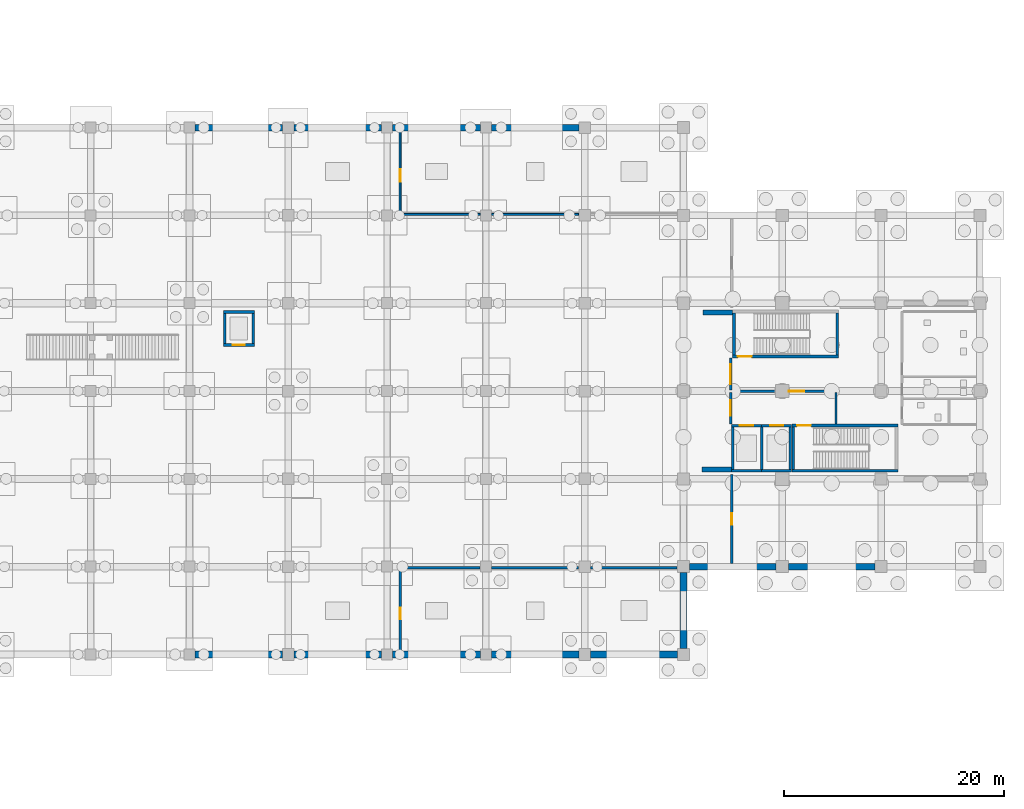
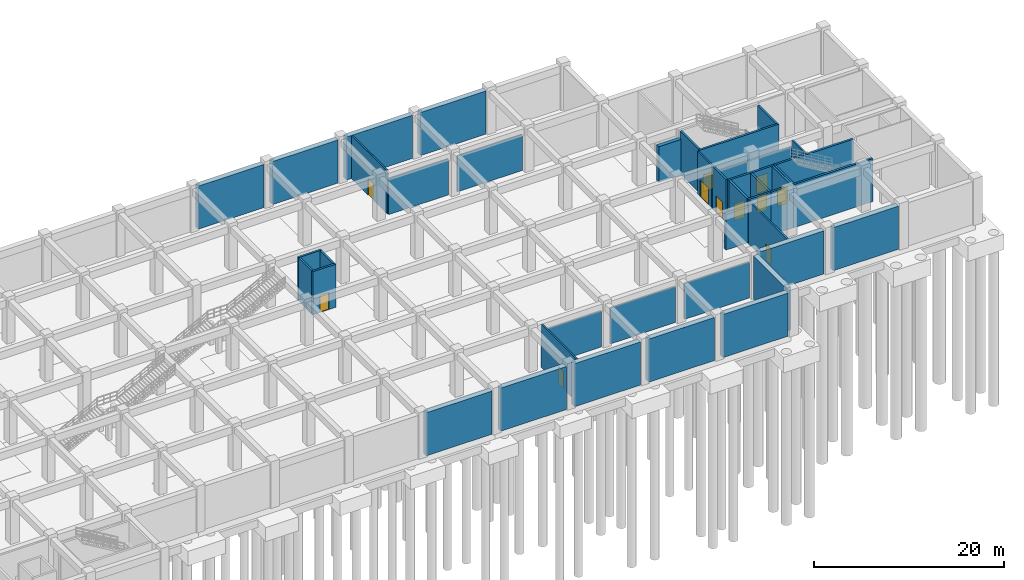
# One storey, part 10 of 18: 43 walls, 11 doors, 11 openings.
"""IFC4 building model written with IfcOpenShell, lengths in metres."""

from ifc_helpers import new_model, si_unit, derived_unit, direction, frame, frame_2d, origin, place, context, subcontext, project, spatial, rectangle, extrude, material, layer, layer_set, type_object, element, fill, save


model = new_model("IFC4")

# Units and contexts
model_context = context("Model", 3, precision=1e-05, world=origin(), true_north=direction((0.0, 1.0)))
body_context = subcontext(model_context, "Body", "Model", "MODEL_VIEW")
ifc_project = project(units=[si_unit("LENGTHUNIT", "METRE"), si_unit("AREAUNIT", "SQUARE_METRE"), si_unit("VOLUMEUNIT", "CUBIC_METRE"), si_unit("PLANEANGLEUNIT", "RADIAN"), si_unit("MASSUNIT", "GRAM", prefix="KILO"), derived_unit("THERMALTRANSMITTANCEUNIT", [(si_unit("MASSUNIT", "GRAM", prefix="KILO"), 1), (si_unit("TIMEUNIT", "SECOND"), -3), (si_unit("THERMODYNAMICTEMPERATUREUNIT", "KELVIN"), -1)])], contexts=[model_context])

# Site, building, storey
site_placement = place(None, origin())
site = spatial("IfcSite", under=ifc_project, at=site_placement, CompositionType="ELEMENT")
building_placement = place(site_placement, origin())
building = spatial("IfcBuilding", under=site, at=building_placement, Name="Zhenchuan Archway Interchange", CompositionType="ELEMENT")
storey_placement = place(building_placement, frame((0.0, 0.0, -12.0)))
storey = spatial("IfcBuildingStorey", under=building, at=storey_placement, Name="B2", CompositionType="ELEMENT", Elevation=-12.0)

# Walls
ifc_material_1 = material(Name="Concrete C40", Category="concrete")
ifc_layer_1 = layer(ifc_material_1, 0.60009765625)
ifc_layer_set_1 = layer_set([ifc_layer_1], Name="Concrete C40")
wall_type_1 = type_object("IfcWallType", Name="EW_DIAPH_600", PredefinedType="STANDARD", material=ifc_layer_set_1)
for number, where, z_axis, x_axis, name in (
    (1, (99.498046875, 80.0, 0.0), (0.0, 0.0, 1.0), (1.0, 0.0, 0.0), "Basement diaphragm wall B2-016"),
    (2, (108.52294921875, 80.0, 0.0), (0.0, 0.0, 1.0), (1.0, 0.0, 0.0), "Basement diaphragm wall B2-017"),
):
    element("IfcWall", number, at=place(storey_placement, frame(where, z_axis=z_axis, x_axis=x_axis)), inside=storey, type_object=wall_type_1, Name=name, PredefinedType="STANDARD", context=body_context, shape_type="SweptSolid", body=[
        extrude(rectangle(XDim=7.97900390625, YDim=0.60009765625, at=frame_2d((3.989501953125, 0.0))), origin(), (0.0, 0.0, 1.0), 5.5400390625),
    ])
wall_1_placement = place(storey_placement, frame((117.498046875, 80.0, 0.0), z_axis=(0.0, 0.0, 1.0), x_axis=(1.0, 0.0, 0.0)))
element("IfcWall", 3, at=wall_1_placement, inside=storey, type_object=wall_type_1, Name="Basement diaphragm wall B2-018", PredefinedType="STANDARD", context=body_context, shape_type="SweptSolid", body=[
    extrude(rectangle(XDim=8.00390625, YDim=0.60009765625, at=frame_2d((4.001953125, 0.0))), origin(), (0.0, 0.0, 1.0), 5.5400390625),
])
wall_2_placement = place(storey_placement, frame((126.498046875, 80.0, 0.0), z_axis=(0.0, 0.0, 1.0), x_axis=(1.0, 0.0, 0.0)))
element("IfcWall", 4, at=wall_2_placement, inside=storey, type_object=wall_type_1, Name="Basement diaphragm wall B2-019", PredefinedType="STANDARD", context=body_context, shape_type="SweptSolid", body=[
    extrude(rectangle(XDim=7.97900390625, YDim=0.60009765625, at=frame_2d((3.989501953125, 0.0))), origin(), (0.0, 0.0, 1.0), 5.5400390625),
])
for number, where, z_axis, x_axis, name in (
    (5, (161.451904296875, 40.0, 0.0), (0.0, 0.0, 1.0), (-1.0, 0.0, 0.0), "Basement diaphragm wall B2-030"),
    (6, (152.451904296875, 40.0, 0.0), (0.0, 0.0, 1.0), (-1.0, 0.0, 0.0), "Basement diaphragm wall B2-031"),
):
    element("IfcWall", number, at=place(storey_placement, frame(where, z_axis=z_axis, x_axis=x_axis)), inside=storey, type_object=wall_type_1, Name=name, PredefinedType="STANDARD", context=body_context, shape_type="SweptSolid", body=[
        extrude(rectangle(XDim=7.90380859375, YDim=0.60009765625, at=frame_2d((3.951904296875, 0.0))), origin(), (0.0, 0.0, 1.0), 5.5400390625),
    ])
wall_3_placement = place(storey_placement, frame((144.0, 39.451904296875, 0.0), z_axis=(0.0, 0.0, 1.0), x_axis=(0.0, -1.0, 0.0)))
element("IfcWall", 7, at=wall_3_placement, inside=storey, type_object=wall_type_1, Name="Basement diaphragm wall B2-032", PredefinedType="STANDARD", context=body_context, shape_type="SweptSolid", body=[
    extrude(rectangle(XDim=6.90380859375, YDim=0.60009765625, at=frame_2d((3.451904296875, 0.0))), origin(), (0.0, 0.0, 1.0), 5.5400390625),
])
wall_4_placement = place(storey_placement, frame((143.451904296875, 32.0, 0.0), z_axis=(0.0, 0.0, 1.0), x_axis=(-1.0, 0.0, 0.0)))
element("IfcWall", 8, at=wall_4_placement, inside=storey, type_object=wall_type_1, Name="Basement diaphragm wall B2-033", PredefinedType="STANDARD", context=body_context, shape_type="SweptSolid", body=[
    extrude(rectangle(XDim=7.928955078125, YDim=0.60009765625, at=frame_2d((3.96435546875, 0.0))), origin(), (0.0, 0.0, 1.0), 5.5400390625),
])
wall_5_placement = place(storey_placement, frame((134.47705078125, 32.0, 0.0), z_axis=(0.0, 0.0, 1.0), x_axis=(-1.0, 0.0, 0.0)))
element("IfcWall", 9, at=wall_5_placement, inside=storey, type_object=wall_type_1, Name="Basement diaphragm wall B2-034", PredefinedType="STANDARD", context=body_context, shape_type="SweptSolid", body=[
    extrude(rectangle(XDim=7.97900390625, YDim=0.60009765625, at=frame_2d((3.989501953125, 0.0))), origin(), (0.0, 0.0, 1.0), 5.5400390625),
])
wall_6_placement = place(storey_placement, frame((125.501953125, 32.0, 0.0), z_axis=(0.0, 0.0, 1.0), x_axis=(-1.0, 0.0, 0.0)))
element("IfcWall", 10, at=wall_6_placement, inside=storey, type_object=wall_type_1, Name="Basement diaphragm wall B2-035", PredefinedType="STANDARD", context=body_context, shape_type="SweptSolid", body=[
    extrude(rectangle(XDim=8.00390625, YDim=0.60009765625, at=frame_2d((4.001953125, 0.0))), origin(), (0.0, 0.0, 1.0), 5.5400390625),
])
for number, where, z_axis, x_axis, name in (
    (11, (116.501953125, 32.0, 0.0), (0.0, 0.0, 1.0), (-1.0, 0.0, 0.0), "Basement diaphragm wall B2-036"),
    (12, (107.47705078125, 32.0, 0.0), (0.0, 0.0, 1.0), (-1.0, 0.0, 0.0), "Basement diaphragm wall B2-037"),
):
    element("IfcWall", number, at=place(storey_placement, frame(where, z_axis=z_axis, x_axis=x_axis)), inside=storey, type_object=wall_type_1, Name=name, PredefinedType="STANDARD", context=body_context, shape_type="SweptSolid", body=[
        extrude(rectangle(XDim=7.97900390625, YDim=0.60009765625, at=frame_2d((3.989501953125, 0.0))), origin(), (0.0, 0.0, 1.0), 5.5400390625),
    ])
ifc_material_2 = material(Name="Concrete C50", Category="concrete")
ifc_layer_2 = layer(ifc_material_2, 0.449951171875)
ifc_layer_set_2 = layer_set([ifc_layer_2], Name="Concrete C50")
wall_type_2 = type_object("IfcWallType", Name="WL_CORE_450", PredefinedType="SHEAR", material=ifc_layer_set_2)
wall_7_placement = place(storey_placement, frame((145.679931640625, 48.85498046875, 0.0), z_axis=(0.0, 0.0, 1.0), x_axis=(1.0, 0.0, 0.0)))
element("IfcWall", 13, at=wall_7_placement, inside=storey, type_object=wall_type_2, Name="Operations lateral shear wall W-S (B2)", PredefinedType="SHEAR", context=body_context, shape_type="SweptSolid", body=[
    extrude(rectangle(XDim=2.699951171875, YDim=0.449951171875, at=frame_2d((1.35009765625, 0.0))), origin(), (0.0, 0.0, 1.0), 4.580078125),
])
wall_8_placement = place(storey_placement, frame((145.77490234375, 63.14990234375, 0.0), z_axis=(0.0, 0.0, 1.0), x_axis=(1.0, 0.0, 0.0)))
element("IfcWall", 14, at=wall_8_placement, inside=storey, type_object=wall_type_2, Name="Operations lateral shear wall W-N (B2)", PredefinedType="SHEAR", context=body_context, shape_type="SweptSolid", body=[
    extrude(rectangle(XDim=2.7001953125, YDim=0.449951171875, at=frame_2d((1.35009765625, 0.0))), origin(), (0.0, 0.0, 1.0), 4.580078125),
])

# Wall, opening, door
ifc_material_3 = material(Name="Autoclaved Aerated Concrete Block", Category="concrete")
ifc_layer_3 = layer(ifc_material_3, 0.199951171875)
ifc_layer_set_3 = layer_set([ifc_layer_3], Name="Autoclaved Aerated Concrete Block")
wall_type_3 = type_object("IfcWallType", Name="WL_FIRE_200", PredefinedType="STANDARD", material=ifc_layer_set_3)
wall_9_placement = place(storey_placement, frame((148.39990234375, 55.97998046875, 0.0), z_axis=(0.0, 0.0, 1.0), x_axis=(1.0, 0.0, 0.0)))
wall_9 = element("IfcWall", 15, at=wall_9_placement, inside=storey, type_object=wall_type_3, Name="Firefighting lift lobby smoke divider (B2)", PredefinedType="STANDARD", context=body_context, shape_type="SweptSolid", body=[
    extrude(rectangle(XDim=9.5, YDim=0.199951171875, at=frame_2d((4.75, 0.0))), origin(), (0.0, 0.0, 1.0), 4.610107421875),
])
opening_1_placement = place(wall_9_placement, frame((5.199951171875, 0.0, 0.0)))
opening_1 = element("IfcOpeningElement", 16, at=opening_1_placement, cuts=wall_9, Name="Opening FD-04", PredefinedType="OPENING", context=body_context, shape_type="SweptSolid", body=[
    extrude(rectangle(XDim=1.39990234375, YDim=2.199951171875, at=frame_2d((0.699951171875, 1.10009765625))), frame((0.0, 0.11181640625, 0.0), z_axis=(0.0, -1.0, 0.0), x_axis=(1.0, 0.0, 0.0)), (0.0, 0.0, 1.0), 0.223876953125),
])
ifc_material_4 = material(Name="Painted Galvanised Steel", Category="steel")
door_type_1 = type_object("IfcDoorType", Name="DR_LOB_FD60", OperationType="DOUBLE_DOOR_SINGLE_SWING", PredefinedType="DOOR", material=ifc_material_4)
door_1_placement = place(opening_1_placement, origin())
door_1 = element("IfcDoor", 17, at=door_1_placement, inside=storey, type_object=door_type_1, Name="Firefighting to passenger lobby smoke door (B2)", OperationType="DOUBLE_DOOR_SINGLE_SWING", OverallHeight=2.199951171875, OverallWidth=1.39990234375, PredefinedType="DOOR", context=body_context, shape_type="SweptSolid", body=[
    extrude(rectangle(XDim=1.39990234375, YDim=2.199951171875, at=frame_2d((0.699951171875, 1.10009765625))), frame((0.0, 0.02490234375, 0.0), z_axis=(0.0, -1.0, 0.0), x_axis=(1.0, 0.0, 0.0)), (0.0, 0.0, 1.0), 0.050048828125),
])
fill(opening_1, door_1)

# Wall
wall_10_placement = place(storey_placement, frame((157.89990234375, 52.989990234375, 0.0), z_axis=(0.0, 0.0, 1.0), x_axis=(0.0, 1.0, 0.0)))
element("IfcWall", 18, at=wall_10_placement, inside=storey, type_object=wall_type_3, Name="Firefighting lift lobby east fire wall (B2)", PredefinedType="STANDARD", context=body_context, shape_type="SweptSolid", body=[
    extrude(rectangle(XDim=2.880126953125, YDim=0.199951171875, at=frame_2d((1.43994140625, 0.0))), origin(), (0.0, 0.0, 1.0), 5.530029296875),
])

# Wall, opening, door
wall_11_placement = place(storey_placement, frame((148.300048828125, 52.989990234375, 0.0), z_axis=(0.0, 0.0, 1.0), x_axis=(0.0, 1.0, 0.0)))
wall_11 = element("IfcWall", 19, at=wall_11_placement, inside=storey, type_object=wall_type_3, Name="Firefighting lift lobby west fire wall (B2)", PredefinedType="STANDARD", context=body_context, shape_type="SweptSolid", body=[
    extrude(rectangle(XDim=2.880126953125, YDim=0.199951171875, at=frame_2d((1.43994140625, 0.0))), origin(), (0.0, 0.0, 1.0), 5.530029296875),
])
opening_2_placement = place(wall_11_placement, frame((0.75, 0.0, 0.0)))
opening_2 = element("IfcOpeningElement", 20, at=opening_2_placement, cuts=wall_11, Name="Opening FD-04", PredefinedType="OPENING", context=body_context, shape_type="SweptSolid", body=[
    extrude(rectangle(XDim=1.39990234375, YDim=2.199951171875, at=frame_2d((0.699951171875, 1.10009765625))), frame((0.0, 0.11181640625, 0.0), z_axis=(0.0, -1.0, 0.0), x_axis=(1.0, 0.0, 0.0)), (0.0, 0.0, 1.0), 0.223876953125),
])
door_2_placement = place(opening_2_placement, origin())
door_2 = element("IfcDoor", 21, at=door_2_placement, inside=storey, type_object=door_type_1, Name="Firefighting lift lobby corridor fire door (B2)", OperationType="DOUBLE_DOOR_SINGLE_SWING", OverallHeight=2.199951171875, OverallWidth=1.39990234375, PredefinedType="DOOR", context=body_context, shape_type="SweptSolid", body=[
    extrude(rectangle(XDim=1.39990234375, YDim=2.199951171875, at=frame_2d((0.699951171875, 1.10009765625))), frame((0.0, 0.02490234375, 0.0), z_axis=(0.0, -1.0, 0.0), x_axis=(1.0, 0.0, 0.0)), (0.0, 0.0, 1.0), 0.050048828125),
])
fill(opening_2, door_2)

wall_12_placement = place(storey_placement, frame((148.300048828125, 56.090087890625, 0.0), z_axis=(0.0, 0.0, 1.0), x_axis=(0.0, 1.0, 0.0)))
wall_12 = element("IfcWall", 22, at=wall_12_placement, inside=storey, type_object=wall_type_3, Name="Passenger lift lobby west fire wall (B2)", PredefinedType="STANDARD", context=body_context, shape_type="SweptSolid", body=[
    extrude(rectangle(XDim=2.919921875, YDim=0.199951171875, at=frame_2d((1.4599609375, 0.0))), origin(), (0.0, 0.0, 1.0), 5.530029296875),
])
opening_3_placement = place(wall_12_placement, frame((0.550048828125, 0.0, 0.0)))
opening_3 = element("IfcOpeningElement", 23, at=opening_3_placement, cuts=wall_12, Name="Opening ID-01", PredefinedType="OPENING", context=body_context, shape_type="SweptSolid", body=[
    extrude(rectangle(XDim=1.800048828125, YDim=2.199951171875, at=frame_2d((0.89990234375, 1.10009765625))), frame((0.0, 0.11181640625, 0.0), z_axis=(0.0, -1.0, 0.0), x_axis=(1.0, 0.0, 0.0)), (0.0, 0.0, 1.0), 0.223876953125),
])
ifc_material_5 = material(Name="Anodised Aluminium", Category="aluminium")
door_type_2 = type_object("IfcDoorType", Name="DR_LOBBY_DBL", OperationType="DOUBLE_DOOR_SINGLE_SWING", PredefinedType="DOOR", material=ifc_material_5)
door_3_placement = place(opening_3_placement, origin())
door_3 = element("IfcDoor", 24, at=door_3_placement, inside=storey, type_object=door_type_2, Name="Passenger lift lobby entrance door (B2)", OperationType="DOUBLE_DOOR_SINGLE_SWING", OverallHeight=2.199951171875, OverallWidth=1.800048828125, PredefinedType="DOOR", context=body_context, shape_type="SweptSolid", body=[
    extrude(rectangle(XDim=1.800048828125, YDim=2.199951171875, at=frame_2d((0.89990234375, 1.10009765625))), frame((0.0, 0.02490234375, 0.0), z_axis=(0.0, -1.0, 0.0), x_axis=(1.0, 0.0, 0.0)), (0.0, 0.0, 1.0), 0.050048828125),
])
fill(opening_3, door_3)

# Walls
wall_13_placement = place(storey_placement, frame((118.199951171875, 39.89990234375, 0.0), z_axis=(0.0, 0.0, 1.0), x_axis=(1.0, 0.0, 0.0)))
element("IfcWall", 25, at=wall_13_placement, inside=storey, type_object=wall_type_3, Name="Traction Power Substation Room N partition (B2)", PredefinedType="STANDARD", context=body_context, shape_type="SweptSolid", body=[
    extrude(rectangle(XDim=7.275146484375, YDim=0.199951171875, at=frame_2d((3.6376953125, 0.0))), origin(), (0.0, 0.0, 1.0), 4.610107421875),
])
wall_14_placement = place(storey_placement, frame((126.52490234375, 39.89990234375, 0.0), z_axis=(0.0, 0.0, 1.0), x_axis=(1.0, 0.0, 0.0)))
element("IfcWall", 26, at=wall_14_placement, inside=storey, type_object=wall_type_3, Name="Traction Power Substation Room N partition (B2)", PredefinedType="STANDARD", context=body_context, shape_type="SweptSolid", body=[
    extrude(rectangle(XDim=7.925048828125, YDim=0.199951171875, at=frame_2d((3.96240234375, 0.0))), origin(), (0.0, 0.0, 1.0), 4.610107421875),
])
wall_15_placement = place(storey_placement, frame((135.550048828125, 39.89990234375, 0.0), z_axis=(0.0, 0.0, 1.0), x_axis=(1.0, 0.0, 0.0)))
element("IfcWall", 27, at=wall_15_placement, inside=storey, type_object=wall_type_3, Name="Traction Power Substation Room N partition (B2)", PredefinedType="STANDARD", context=body_context, shape_type="SweptSolid", body=[
    extrude(rectangle(XDim=7.875, YDim=0.199951171875, at=frame_2d((3.9375, 0.0))), origin(), (0.0, 0.0, 1.0), 4.610107421875),
])

# Wall, opening, door
wall_16_placement = place(storey_placement, frame((118.199951171875, 32.31005859375, 0.0), z_axis=(0.0, 0.0, 1.0), x_axis=(0.0, 1.0, 0.0)))
wall_16 = element("IfcWall", 28, at=wall_16_placement, inside=storey, type_object=wall_type_3, Name="Traction Power Substation Room W partition (B2)", PredefinedType="STANDARD", context=body_context, shape_type="SweptSolid", body=[
    extrude(rectangle(XDim=7.47998046875, YDim=0.199951171875, at=frame_2d((3.739990234375, 0.0))), origin(), (0.0, 0.0, 1.0), 5.530029296875),
])
opening_4_placement = place(wall_16_placement, frame((2.896728515625, 0.0, 0.0)))
opening_4 = element("IfcOpeningElement", 29, at=opening_4_placement, cuts=wall_16, Name="Opening FD-03", PredefinedType="OPENING", context=body_context, shape_type="SweptSolid", body=[
    extrude(rectangle(XDim=1.050048828125, YDim=2.14990234375, at=frame_2d((0.52490234375, 1.074951171875))), frame((0.0, 0.11181640625, 0.0), z_axis=(0.0, -1.0, 0.0), x_axis=(1.0, 0.0, 0.0)), (0.0, 0.0, 1.0), 0.223876953125),
])
door_type_3 = type_object("IfcDoorType", Name="DR_PLANT_FD60_S", OperationType="NOTDEFINED", PredefinedType="DOOR", material=ifc_material_4)
door_4_placement = place(opening_4_placement, origin())
door_4 = element("IfcDoor", 30, at=door_4_placement, inside=storey, type_object=door_type_3, Name="Traction Power Substation Room door (B2)", OperationType="SINGLE_SWING_RIGHT", OverallHeight=2.14990234375, OverallWidth=1.050048828125, PredefinedType="DOOR", context=body_context, shape_type="SweptSolid", body=[
    extrude(rectangle(XDim=1.050048828125, YDim=2.14990234375, at=frame_2d((0.52490234375, 1.074951171875))), frame((0.0, 0.02490234375, 0.0), z_axis=(0.0, -1.0, 0.0), x_axis=(1.0, 0.0, 0.0)), (0.0, 0.0, 1.0), 0.050048828125),
])
fill(opening_4, door_4)

wall_17_placement = place(storey_placement, frame((148.39990234375, 40.31005859375, 0.0), z_axis=(0.0, 0.0, 1.0), x_axis=(0.0, 1.0, 0.0)))
wall_17 = element("IfcWall", 31, at=wall_17_placement, inside=storey, type_object=wall_type_3, Name="Station Seawater and Chiller Plant Room W partition (B2)", PredefinedType="STANDARD", context=body_context, shape_type="SweptSolid", body=[
    extrude(rectangle(XDim=8.08984375, YDim=0.199951171875, at=frame_2d((4.044921875, 0.0))), origin(), (0.0, 0.0, 1.0), 5.530029296875),
])
opening_5_placement = place(wall_17_placement, frame((3.52001953125, 0.0, 0.0)))
opening_5 = element("IfcOpeningElement", 32, at=opening_5_placement, cuts=wall_17, Name="Opening FD-03", PredefinedType="OPENING", context=body_context, shape_type="SweptSolid", body=[
    extrude(rectangle(XDim=1.050048828125, YDim=2.14990234375, at=frame_2d((0.52490234375, 1.074951171875))), frame((0.0, 0.11181640625, 0.0), z_axis=(0.0, -1.0, 0.0), x_axis=(1.0, 0.0, 0.0)), (0.0, 0.0, 1.0), 0.223876953125),
])
door_5_placement = place(opening_5_placement, origin())
door_5 = element("IfcDoor", 33, at=door_5_placement, inside=storey, type_object=door_type_3, Name="Station Seawater and Chiller Plant Room door (B2)", OperationType="SINGLE_SWING_RIGHT", OverallHeight=2.14990234375, OverallWidth=1.050048828125, PredefinedType="DOOR", context=body_context, shape_type="SweptSolid", body=[
    extrude(rectangle(XDim=1.050048828125, YDim=2.14990234375, at=frame_2d((0.52490234375, 1.074951171875))), frame((0.0, 0.02490234375, 0.0), z_axis=(0.0, -1.0, 0.0), x_axis=(1.0, 0.0, 0.0)), (0.0, 0.0, 1.0), 0.050048828125),
])
fill(opening_5, door_5)

ifc_layer_4 = layer(ifc_material_1, 0.239990234375)
ifc_layer_set_4 = layer_set([ifc_layer_4], Name="Concrete C40")
wall_type_4 = type_object("IfcWallType", Name="WL_LIFT_240", PredefinedType="SHEAR", material=ifc_layer_set_4)
wall_18_placement = place(storey_placement, frame((102.080078125, 60.199951171875, 0.0), z_axis=(0.0, 0.0, 1.0), x_axis=(1.0, 0.0, 0.0)))
wall_18 = element("IfcWall", 34, at=wall_18_placement, inside=storey, type_object=wall_type_4, Name="Lift LF-05 south shaft wall (B2)", PredefinedType="SHEAR", context=body_context, shape_type="SweptSolid", body=[
    extrude(rectangle(XDim=2.83984375, YDim=0.239990234375, at=frame_2d((1.419921875, 0.0))), origin(), (0.0, 0.0, 1.0), 5.530029296875),
])
opening_6_placement = place(wall_18_placement, frame((0.8701171875, 0.0, 0.0)))
opening_6 = element("IfcOpeningElement", 35, at=opening_6_placement, cuts=wall_18, Name="Opening LD-01", PredefinedType="OPENING", context=body_context, shape_type="SweptSolid", body=[
    extrude(rectangle(XDim=1.10009765625, YDim=2.199951171875, at=frame_2d((0.550048828125, 1.10009765625))), frame((0.0, 0.1318359375, 0.0), z_axis=(0.0, -1.0, 0.0), x_axis=(1.0, 0.0, 0.0)), (0.0, 0.0, 1.0), 0.263916015625),
])
ifc_material_6 = material(Name="Stainless Steel 304", Category="steel")
door_type_4 = type_object("IfcDoorType", Name="DR_LIFT_LD110", OperationType="DOUBLE_DOOR_SLIDING", PredefinedType="DOOR", material=ifc_material_6)
door_6_placement = place(opening_6_placement, origin())
door_6 = element("IfcDoor", 36, at=door_6_placement, inside=storey, type_object=door_type_4, Name="Lift LF-05 landing door (B2)", OperationType="DOUBLE_DOOR_SLIDING", OverallHeight=2.199951171875, OverallWidth=1.10009765625, PredefinedType="DOOR", context=body_context, shape_type="SweptSolid", body=[
    extrude(rectangle(XDim=1.10009765625, YDim=2.199951171875, at=frame_2d((0.550048828125, 1.10009765625))), frame((0.0, 0.02490234375, 0.0), z_axis=(0.0, -1.0, 0.0), x_axis=(1.0, 0.0, 0.0)), (0.0, 0.0, 1.0), 0.050048828125),
])
fill(opening_6, door_6)

# Walls
wall_19_placement = place(storey_placement, frame((104.919921875, 63.199951171875, 0.0), z_axis=(0.0, 0.0, 1.0), x_axis=(-1.0, 0.0, 0.0)))
element("IfcWall", 37, at=wall_19_placement, inside=storey, type_object=wall_type_4, Name="Lift LF-05 north shaft wall (B2)", PredefinedType="SHEAR", context=body_context, shape_type="SweptSolid", body=[
    extrude(rectangle(XDim=2.83984375, YDim=0.239990234375, at=frame_2d((1.419921875, 0.0))), origin(), (0.0, 0.0, 1.0), 5.530029296875),
])
for number, where, z_axis, x_axis, name in (
    (38, (102.199951171875, 63.080078125, 0.0), (0.0, 0.0, 1.0), (0.0, -1.0, 0.0), "Lift LF-05 west shaft wall (B2)"),
    (39, (104.800048828125, 60.320068359375, 0.0), (0.0, 0.0, 1.0), (0.0, 1.0, 0.0), "Lift LF-05 east shaft wall (B2)"),
):
    element("IfcWall", number, at=place(storey_placement, frame(where, z_axis=z_axis, x_axis=x_axis)), inside=storey, type_object=wall_type_4, Name=name, PredefinedType="SHEAR", context=body_context, shape_type="SweptSolid", body=[
        extrude(rectangle(XDim=2.760009765625, YDim=0.239990234375, at=frame_2d((1.3798828125, 0.0))), origin(), (0.0, 0.0, 1.0), 5.530029296875),
    ])
wall_20_placement = place(storey_placement, frame((148.3798828125, 48.75, 0.0), z_axis=(0.0, 0.0, 1.0), x_axis=(1.0, 0.0, 0.0)))
element("IfcWall", 40, at=wall_20_placement, inside=storey, type_object=wall_type_4, Name="Lift LF-08 south shaft wall (B2)", PredefinedType="SHEAR", context=body_context, shape_type="SweptSolid", body=[
    extrude(rectangle(XDim=2.740234375, YDim=0.239990234375, at=frame_2d((1.3701171875, 0.0))), origin(), (0.0, 0.0, 1.0), 5.530029296875),
])

# Wall, opening, door
wall_21_placement = place(storey_placement, frame((151.1201171875, 52.85009765625, 0.0), z_axis=(0.0, 0.0, 1.0), x_axis=(-1.0, 0.0, 0.0)))
wall_21 = element("IfcWall", 41, at=wall_21_placement, inside=storey, type_object=wall_type_4, Name="Lift LF-08 north shaft wall (B2)", PredefinedType="SHEAR", context=body_context, shape_type="SweptSolid", body=[
    extrude(rectangle(XDim=2.740234375, YDim=0.239990234375, at=frame_2d((1.3701171875, 0.0))), origin(), (0.0, 0.0, 1.0), 5.530029296875),
])
opening_7_placement = place(wall_21_placement, frame((0.77001953125, 0.0, 0.0)))
opening_7 = element("IfcOpeningElement", 42, at=opening_7_placement, cuts=wall_21, Name="Opening LD-02", PredefinedType="OPENING", context=body_context, shape_type="SweptSolid", body=[
    extrude(rectangle(XDim=1.199951171875, YDim=2.199951171875, at=frame_2d((0.60009765625, 1.10009765625))), frame((0.0, 0.1318359375, 0.0), z_axis=(0.0, -1.0, 0.0), x_axis=(1.0, 0.0, 0.0)), (0.0, 0.0, 1.0), 0.263916015625),
])
door_type_5 = type_object("IfcDoorType", Name="DR_LIFT_LD120", OperationType="DOUBLE_DOOR_SLIDING", PredefinedType="DOOR", material=ifc_material_6)
door_7_placement = place(opening_7_placement, origin())
door_7 = element("IfcDoor", 43, at=door_7_placement, inside=storey, type_object=door_type_5, Name="Lift LF-08 landing door (B2)", OperationType="DOUBLE_DOOR_SLIDING", OverallHeight=2.199951171875, OverallWidth=1.199951171875, PredefinedType="DOOR", context=body_context, shape_type="SweptSolid", body=[
    extrude(rectangle(XDim=1.199951171875, YDim=2.199951171875, at=frame_2d((0.60009765625, 1.10009765625))), frame((0.0, 0.02490234375, 0.0), z_axis=(0.0, -1.0, 0.0), x_axis=(1.0, 0.0, 0.0)), (0.0, 0.0, 1.0), 0.050048828125),
])
fill(opening_7, door_7)

# Walls
for number, where, z_axis, x_axis, name in (
    (44, (148.5, 52.72998046875, 0.0), (0.0, 0.0, 1.0), (0.0, -1.0, 0.0), "Lift LF-08 west shaft wall (B2)"),
    (45, (151.1201171875, 48.8701171875, 0.0), (0.0, 0.0, 1.0), (0.0, 1.0, 0.0), "Lift LF-08 east shaft wall (B2)"),
):
    element("IfcWall", number, at=place(storey_placement, frame(where, z_axis=z_axis, x_axis=x_axis)), inside=storey, type_object=wall_type_4, Name=name, PredefinedType="SHEAR", context=body_context, shape_type="SweptSolid", body=[
        extrude(rectangle(XDim=3.85986328125, YDim=0.239990234375, at=frame_2d((1.929931640625, 0.0))), origin(), (0.0, 0.0, 1.0), 5.530029296875),
    ])
wall_22_placement = place(storey_placement, frame((151.1201171875, 48.75, 0.0), z_axis=(0.0, 0.0, 1.0), x_axis=(1.0, 0.0, 0.0)))
element("IfcWall", 46, at=wall_22_placement, inside=storey, type_object=wall_type_4, Name="Lift LF-09 south shaft wall (B2)", PredefinedType="SHEAR", context=body_context, shape_type="SweptSolid", body=[
    extrude(rectangle(XDim=2.739990234375, YDim=0.239990234375, at=frame_2d((1.3701171875, 0.0))), origin(), (0.0, 0.0, 1.0), 5.530029296875),
])

# Wall, opening, door
wall_23_placement = place(storey_placement, frame((153.860107421875, 52.85009765625, 0.0), z_axis=(0.0, 0.0, 1.0), x_axis=(-1.0, 0.0, 0.0)))
wall_23 = element("IfcWall", 47, at=wall_23_placement, inside=storey, type_object=wall_type_4, Name="Lift LF-09 north shaft wall (B2)", PredefinedType="SHEAR", context=body_context, shape_type="SweptSolid", body=[
    extrude(rectangle(XDim=2.739990234375, YDim=0.239990234375, at=frame_2d((1.3701171875, 0.0))), origin(), (0.0, 0.0, 1.0), 5.530029296875),
])
opening_8_placement = place(wall_23_placement, frame((0.77001953125, 0.0, 0.0)))
opening_8 = element("IfcOpeningElement", 48, at=opening_8_placement, cuts=wall_23, Name="Opening LD-02", PredefinedType="OPENING", context=body_context, shape_type="SweptSolid", body=[
    extrude(rectangle(XDim=1.199951171875, YDim=2.199951171875, at=frame_2d((0.60009765625, 1.10009765625))), frame((0.0, 0.1318359375, 0.0), z_axis=(0.0, -1.0, 0.0), x_axis=(1.0, 0.0, 0.0)), (0.0, 0.0, 1.0), 0.263916015625),
])
door_8_placement = place(opening_8_placement, origin())
door_8 = element("IfcDoor", 49, at=door_8_placement, inside=storey, type_object=door_type_5, Name="Lift LF-09 landing door (B2)", OperationType="DOUBLE_DOOR_SLIDING", OverallHeight=2.199951171875, OverallWidth=1.199951171875, PredefinedType="DOOR", context=body_context, shape_type="SweptSolid", body=[
    extrude(rectangle(XDim=1.199951171875, YDim=2.199951171875, at=frame_2d((0.60009765625, 1.10009765625))), frame((0.0, 0.02490234375, 0.0), z_axis=(0.0, -1.0, 0.0), x_axis=(1.0, 0.0, 0.0)), (0.0, 0.0, 1.0), 0.050048828125),
])
fill(opening_8, door_8)

# Walls
wall_24_placement = place(storey_placement, frame((153.739990234375, 48.8701171875, 0.0), z_axis=(0.0, 0.0, 1.0), x_axis=(0.0, 1.0, 0.0)))
element("IfcWall", 50, at=wall_24_placement, inside=storey, type_object=wall_type_4, Name="Lift LF-09 east shaft wall (B2)", PredefinedType="SHEAR", context=body_context, shape_type="SweptSolid", body=[
    extrude(rectangle(XDim=3.85986328125, YDim=0.239990234375, at=frame_2d((1.929931640625, 0.0))), origin(), (0.0, 0.0, 1.0), 5.530029296875),
])
ifc_material_7 = material(Name="Concrete Block Masonry", Category="masonry")
ifc_layer_5 = layer(ifc_material_7, 0.179931640625)
ifc_layer_set_5 = layer_set([ifc_layer_5], Name="Concrete Block Masonry")
wall_type_5 = type_object("IfcWallType", Name="WL_PART_180", PredefinedType="STANDARD", material=ifc_layer_set_5)
wall_25_placement = place(storey_placement, frame((118.199951171875, 72.10009765625, 0.0), z_axis=(0.0, 0.0, 1.0), x_axis=(1.0, 0.0, 0.0)))
element("IfcWall", 51, at=wall_25_placement, inside=storey, type_object=wall_type_5, Name="Trackside Signalling Relay Room S partition (B2)", PredefinedType="STANDARD", context=body_context, shape_type="SweptSolid", body=[
    extrude(rectangle(XDim=7.275146484375, YDim=0.179931640625, at=frame_2d((3.6376953125, 0.0))), origin(), (0.0, 0.0, 1.0), 4.610107421875),
])
wall_26_placement = place(storey_placement, frame((126.52490234375, 72.10009765625, 0.0), z_axis=(0.0, 0.0, 1.0), x_axis=(1.0, 0.0, 0.0)))
element("IfcWall", 52, at=wall_26_placement, inside=storey, type_object=wall_type_5, Name="Trackside Signalling Relay Room S partition (B2)", PredefinedType="STANDARD", context=body_context, shape_type="SweptSolid", body=[
    extrude(rectangle(XDim=7.925048828125, YDim=0.179931640625, at=frame_2d((3.96240234375, 0.0))), origin(), (0.0, 0.0, 1.0), 4.610107421875),
])

# Wall, opening, door
wall_27_placement = place(storey_placement, frame((118.199951171875, 72.199951171875, 0.0), z_axis=(0.0, 0.0, 1.0), x_axis=(0.0, 1.0, 0.0)))
wall_27 = element("IfcWall", 53, at=wall_27_placement, inside=storey, type_object=wall_type_5, Name="Trackside Signalling Relay Room W partition (B2)", PredefinedType="STANDARD", context=body_context, shape_type="SweptSolid", body=[
    extrude(rectangle(XDim=7.489990234375, YDim=0.179931640625, at=frame_2d((3.7451171875, 0.0))), origin(), (0.0, 0.0, 1.0), 5.530029296875),
])
opening_9_placement = place(wall_27_placement, frame((2.856689453125, 0.0, 0.0)))
opening_9 = element("IfcOpeningElement", 54, at=opening_9_placement, cuts=wall_27, Name="Opening ID-06", PredefinedType="OPENING", context=body_context, shape_type="SweptSolid", body=[
    extrude(rectangle(XDim=1.14990234375, YDim=2.14990234375, at=frame_2d((0.574951171875, 1.074951171875))), frame((0.0, 0.10205078125, 0.0), z_axis=(0.0, -1.0, 0.0), x_axis=(1.0, 0.0, 0.0)), (0.0, 0.0, 1.0), 0.203857421875),
])
ifc_material_8 = material(Name="Hardwood Timber", Category="wood")
door_type_6 = type_object("IfcDoorType", Name="DR_CTRL_115", OperationType="NOTDEFINED", PredefinedType="DOOR", material=ifc_material_8)
door_9_placement = place(opening_9_placement, origin())
door_9 = element("IfcDoor", 55, at=door_9_placement, inside=storey, type_object=door_type_6, Name="Trackside Signalling Relay Room door (B2)", OperationType="SINGLE_SWING_LEFT", OverallHeight=2.14990234375, OverallWidth=1.14990234375, PredefinedType="DOOR", context=body_context, shape_type="SweptSolid", body=[
    extrude(rectangle(XDim=1.14990234375, YDim=2.14990234375, at=frame_2d((0.574951171875, 1.074951171875))), frame((0.0, 0.02490234375, 0.0), z_axis=(0.0, -1.0, 0.0), x_axis=(1.0, 0.0, 0.0)), (0.0, 0.0, 1.0), 0.050048828125),
])
fill(opening_9, door_9)

ifc_layer_6 = layer(ifc_material_1, 0.25)
ifc_layer_set_6 = layer_set([ifc_layer_6], Name="Concrete C40")
wall_type_6 = type_object("IfcWallType", Name="WL_STAIR_250", PredefinedType="SHEAR", material=ifc_layer_set_6)
wall_28_placement = place(storey_placement, frame((148.47509765625, 59.14990234375, 0.0), z_axis=(0.0, 0.0, 1.0), x_axis=(1.0, 0.0, 0.0)))
wall_28 = element("IfcWall", 56, at=wall_28_placement, inside=storey, type_object=wall_type_6, Name="Stair ST-O1 south wall (B2)", PredefinedType="SHEAR", context=body_context, shape_type="SweptSolid", body=[
    extrude(rectangle(XDim=9.64990234375, YDim=0.25, at=frame_2d((4.824951171875, 0.0))), origin(), (0.0, 0.0, 1.0), 5.530029296875),
])
opening_10_placement = place(wall_28_placement, frame((0.47509765625, 0.0, 0.0)))
opening_10 = element("IfcOpeningElement", 57, at=opening_10_placement, cuts=wall_28, Name="Opening FD-01", PredefinedType="OPENING", context=body_context, shape_type="SweptSolid", body=[
    extrude(rectangle(XDim=1.25, YDim=2.14990234375, at=frame_2d((0.625, 1.074951171875))), frame((0.0, 0.136962890625, 0.0), z_axis=(0.0, -1.0, 0.0), x_axis=(1.0, 0.0, 0.0)), (0.0, 0.0, 1.0), 0.27392578125),
])
door_type_7 = type_object("IfcDoorType", Name="DR_STAIR_FD90", OperationType="NOTDEFINED", PredefinedType="DOOR", material=ifc_material_4)
door_10_placement = place(opening_10_placement, origin())
door_10 = element("IfcDoor", 58, at=door_10_placement, inside=storey, type_object=door_type_7, Name="Stair ST-O1 fire door (B2)", OperationType="SINGLE_SWING_LEFT", OverallHeight=2.14990234375, OverallWidth=1.25, PredefinedType="DOOR", context=body_context, shape_type="SweptSolid", body=[
    extrude(rectangle(XDim=1.25, YDim=2.14990234375, at=frame_2d((0.625, 1.074951171875))), frame((0.0, 0.02490234375, 0.0), z_axis=(0.0, -1.0, 0.0), x_axis=(1.0, 0.0, 0.0)), (0.0, 0.0, 1.0), 0.050048828125),
])
fill(opening_10, door_10)

# Walls
for number, where, z_axis, x_axis, name in (
    (59, (148.60009765625, 63.125, 0.0), (0.0, 0.0, 1.0), (0.0, -1.0, 0.0), "Stair ST-O1 west wall (B2)"),
    (60, (158.0, 59.27490234375, 0.0), (0.0, 0.0, 1.0), (0.0, 1.0, 0.0), "Stair ST-O1 east wall (B2)"),
):
    element("IfcWall", number, at=place(storey_placement, frame(where, z_axis=z_axis, x_axis=x_axis)), inside=storey, type_object=wall_type_6, Name=name, PredefinedType="SHEAR", context=body_context, shape_type="SweptSolid", body=[
        extrude(rectangle(XDim=3.85009765625, YDim=0.25, at=frame_2d((1.925048828125, 0.0))), origin(), (0.0, 0.0, 1.0), 5.530029296875),
    ])
wall_29_placement = place(storey_placement, frame((153.875, 48.75, 0.0), z_axis=(0.0, 0.0, 1.0), x_axis=(1.0, 0.0, 0.0)))
element("IfcWall", 61, at=wall_29_placement, inside=storey, type_object=wall_type_6, Name="Stair ST-O2 south wall (B2)", PredefinedType="SHEAR", context=body_context, shape_type="SweptSolid", body=[
    extrude(rectangle(XDim=9.64990234375, YDim=0.25, at=frame_2d((4.824951171875, 0.0))), origin(), (0.0, 0.0, 1.0), 5.530029296875),
])

# Wall, opening, door
wall_30_placement = place(storey_placement, frame((163.52490234375, 52.85009765625, 0.0), z_axis=(0.0, 0.0, 1.0), x_axis=(-1.0, 0.0, 0.0)))
wall_30 = element("IfcWall", 62, at=wall_30_placement, inside=storey, type_object=wall_type_6, Name="Stair ST-O2 north wall (B2)", PredefinedType="SHEAR", context=body_context, shape_type="SweptSolid", body=[
    extrude(rectangle(XDim=9.64990234375, YDim=0.25, at=frame_2d((4.824951171875, 0.0))), origin(), (0.0, 0.0, 1.0), 5.530029296875),
])
opening_11_placement = place(wall_30_placement, frame((7.925048828125, 0.0, 0.0)))
opening_11 = element("IfcOpeningElement", 63, at=opening_11_placement, cuts=wall_30, Name="Opening FD-01", PredefinedType="OPENING", context=body_context, shape_type="SweptSolid", body=[
    extrude(rectangle(XDim=1.25, YDim=2.14990234375, at=frame_2d((0.625, 1.074951171875))), frame((0.0, 0.136962890625, 0.0), z_axis=(0.0, -1.0, 0.0), x_axis=(1.0, 0.0, 0.0)), (0.0, 0.0, 1.0), 0.27392578125),
])
door_11_placement = place(opening_11_placement, origin())
door_11 = element("IfcDoor", 64, at=door_11_placement, inside=storey, type_object=door_type_7, Name="Stair ST-O2 fire door (B2)", OperationType="SINGLE_SWING_RIGHT", OverallHeight=2.14990234375, OverallWidth=1.25, PredefinedType="DOOR", context=body_context, shape_type="SweptSolid", body=[
    extrude(rectangle(XDim=1.25, YDim=2.14990234375, at=frame_2d((0.625, 1.074951171875))), frame((0.0, 0.02490234375, 0.0), z_axis=(0.0, -1.0, 0.0), x_axis=(1.0, 0.0, 0.0)), (0.0, 0.0, 1.0), 0.050048828125),
])
fill(opening_11, door_11)

# Wall
wall_31_placement = place(storey_placement, frame((154.0, 52.72509765625, 0.0), z_axis=(0.0, 0.0, 1.0), x_axis=(0.0, -1.0, 0.0)))
element("IfcWall", 65, at=wall_31_placement, inside=storey, type_object=wall_type_6, Name="Stair ST-O2 west wall (B2)", PredefinedType="SHEAR", context=body_context, shape_type="SweptSolid", body=[
    extrude(rectangle(XDim=3.85009765625, YDim=0.25, at=frame_2d((1.925048828125, 0.0))), origin(), (0.0, 0.0, 1.0), 5.530029296875),
])

save(model, "model.ifc")
